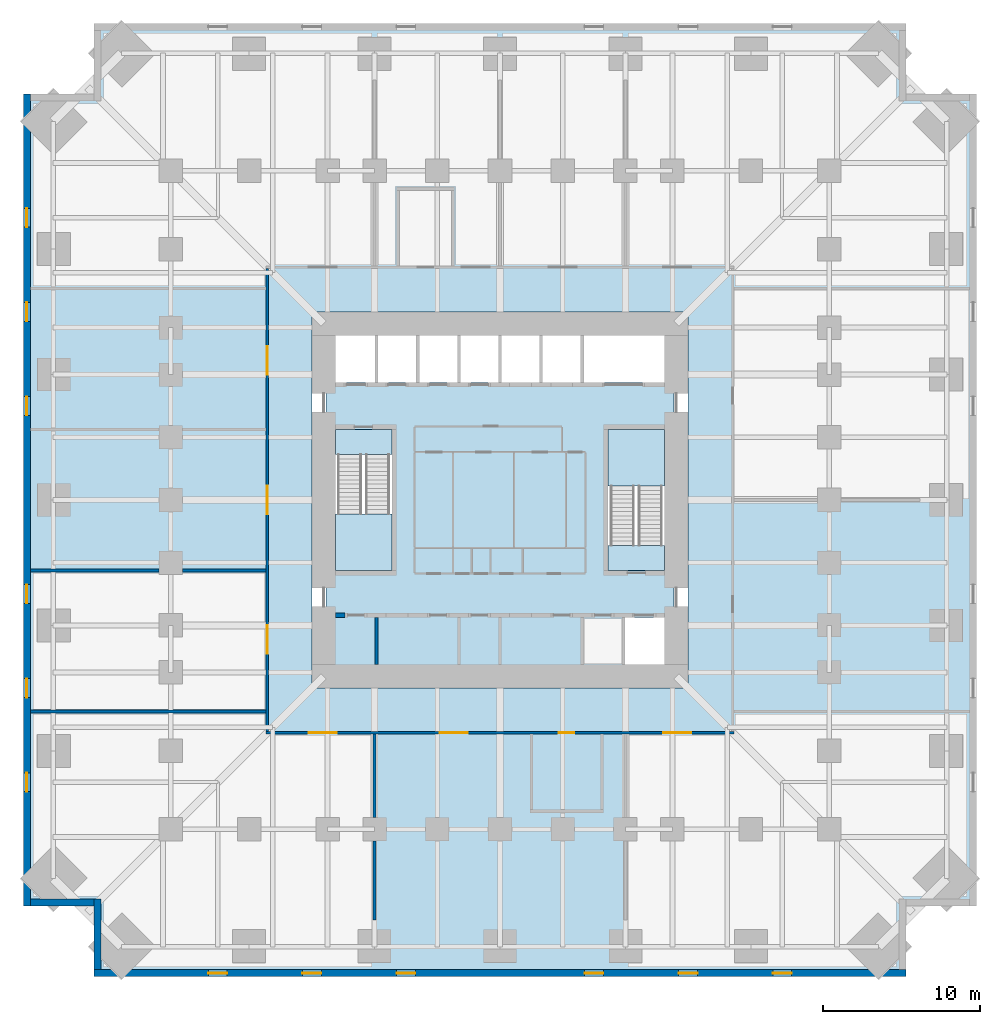
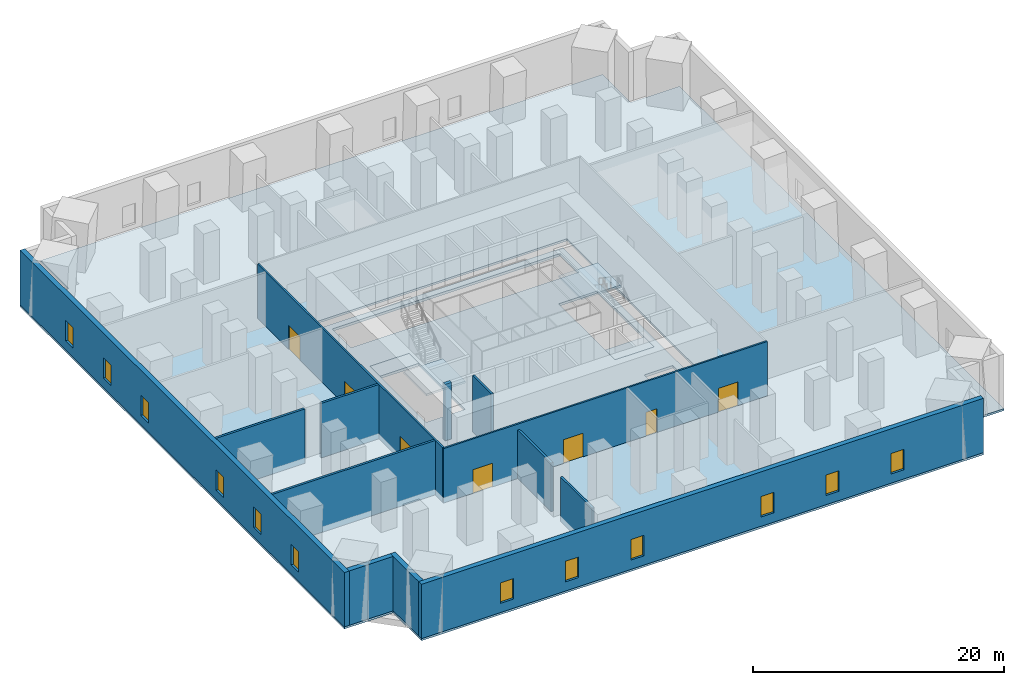
# One storey, part 3 of 8: 13 walls, 12 windows, 7 doors, 6 slabs, 19 openings, 2 elements without a shape of their own.
"""IFC4 building model written with IfcOpenShell, lengths in metres."""

import ifcopenshell
import ifcopenshell.guid

model = None  # the IFC model being written
_history = None  # IfcOwnerHistory: only IFC2X3 demands one
_inside = {}  # id of a spatial element -> (the spatial element, [elements in it])
_under = {}  # id of a project, library or spatial element -> (it, [spatial elements below it])
_declared = {}  # id of a project -> (the project, [libraries it declares])
_typed = {}  # id of a type object -> (the type object, [elements of that type])
_made_of = {}  # id of a material, layer set ... -> (it, [elements and type objects made of it])


def new_model(schema):
    """Start an empty IFC model of exactly this schema.

    Asked for "IFC4X3", IfcOpenShell would pick the latest addendum, in which some entities
    have other attributes; the version numbers below select the first issue.
    IFC2X3 requires an IfcOwnerHistory on every rooted entity: one is made here for all.
    """
    global model, _history
    if schema == "IFC4X3":
        model = ifcopenshell.file(schema_version=(4, 3, 0, 0))
    else:
        model = ifcopenshell.file(schema=schema)
    _inside.clear()
    _under.clear()
    _declared.clear()
    _typed.clear()
    _made_of.clear()
    _history = None
    if model.schema == "IFC2X3":
        org = make("IfcOrganization", Name="unknown")
        user = make(
            "IfcPersonAndOrganization",
            ThePerson=make("IfcPerson", FamilyName="unknown"),
            TheOrganization=org,
        )
        app = make(
            "IfcApplication",
            ApplicationDeveloper=org,
            Version="unknown",
            ApplicationFullName="unknown",
            ApplicationIdentifier="unknown",
        )
        _history = make(
            "IfcOwnerHistory",
            OwningUser=user,
            OwningApplication=app,
            ChangeAction="ADDED",
            CreationDate=0,
        )
    return model


def make(cls, **values):
    """One entity of the class cls with the attributes given. An attribute that is None is left unset."""
    return model.create_entity(
        cls, **{name: value for name, value in values.items() if value is not None}
    )


def rooted(cls, **values):
    """An entity with a GlobalId (a new one), such as an element, a storey or a relation."""
    return make(cls, GlobalId=ifcopenshell.guid.new(), OwnerHistory=_history, **values)


def si_unit(unit_type, name, prefix=None):
    """IfcSIUnit, for example si_unit("LENGTHUNIT", "METRE", prefix="MILLI")."""
    return make("IfcSIUnit", UnitType=unit_type, Prefix=prefix, Name=name)


def assignment(units):
    """IfcUnitAssignment: the units of a project."""
    return None if units is None else make("IfcUnitAssignment", Units=units)


def point(xyz):
    """IfcCartesianPoint."""
    return None if xyz is None else make("IfcCartesianPoint", Coordinates=xyz)


def direction(xyz):
    """IfcDirection."""
    return None if xyz is None else make("IfcDirection", DirectionRatios=xyz)


def frame(location, z_axis=None, x_axis=None):
    """IfcAxis2Placement3D, a coordinate frame: its origin and axes. An axis left out is left unset."""
    return make(
        "IfcAxis2Placement3D",
        Location=point(location),
        Axis=direction(z_axis),
        RefDirection=direction(x_axis),
    )


def frame_2d(location, x_axis=None):
    """IfcAxis2Placement2D, a coordinate frame in the plane: its origin and x axis."""
    return make(
        "IfcAxis2Placement2D", Location=point(location), RefDirection=direction(x_axis)
    )


def origin():
    """The frame at (0, 0, 0) with its axes left unset."""
    return frame((0.0, 0.0, 0.0))


def place(relative_to, where):
    """IfcLocalPlacement: puts the frame where relative to a parent placement (None: the world)."""
    return make(
        "IfcLocalPlacement", PlacementRelTo=relative_to, RelativePlacement=where
    )


def context(
    kind, dimensions, precision=None, world=None, true_north=None, identifier=None
):
    """IfcGeometricRepresentationContext, for example the 3D "Model" context."""
    return make(
        "IfcGeometricRepresentationContext",
        ContextIdentifier=identifier,
        ContextType=kind,
        CoordinateSpaceDimension=dimensions,
        Precision=precision,
        WorldCoordinateSystem=world,
        TrueNorth=true_north,
    )


def subcontext(parent, identifier, kind, view, scale=None):
    """IfcGeometricRepresentationSubContext, for example "Body" below "Model"."""
    return make(
        "IfcGeometricRepresentationSubContext",
        ContextIdentifier=identifier,
        ContextType=kind,
        ParentContext=parent,
        TargetScale=scale,
        TargetView=view,
    )


def project(units=None, contexts=None):
    """IfcProject with its units and contexts."""
    return rooted(
        "IfcProject",
        Name="project",
        RepresentationContexts=contexts,
        UnitsInContext=assignment(units),
    )


def spatial(cls, under=None, at=None, **own):
    """A site, building, storey or space (cls), placed at a placement, below another one or the project."""
    s = rooted(cls, ObjectPlacement=at, **own)
    if under is not None:
        _under.setdefault(under.id(), (under, []))[1].append(s)
    return s


def polyline(points):
    """IfcPolyline through the points."""
    return make("IfcPolyline", Points=[point(p) for p in points])


def profile(cls, at=None, kind="AREA", **sizes):
    """A parametric profile (cls). Its sizes go by their IFC names, for example OverallWidth=200.0."""
    return make(cls, ProfileType=kind, Position=at, **sizes)


def rectangle(**sizes):
    """IfcRectangleProfileDef."""
    return profile("IfcRectangleProfileDef", **sizes)


def outline(outer, holes=None, kind="AREA"):
    """IfcArbitraryClosedProfileDef: a profile drawn as a closed curve; with holes, ...WithVoids."""
    if holes is None:
        return make("IfcArbitraryClosedProfileDef", ProfileType=kind, OuterCurve=outer)
    return make(
        "IfcArbitraryProfileDefWithVoids",
        ProfileType=kind,
        OuterCurve=outer,
        InnerCurves=holes,
    )


def extrude(swept, where, along, depth):
    """IfcExtrudedAreaSolid: the profile swept, set in the frame where, extruded along a direction by depth."""
    return make(
        "IfcExtrudedAreaSolid",
        SweptArea=swept,
        Position=where,
        ExtrudedDirection=direction(along),
        Depth=depth,
    )


def shape(context_of_items, identifier, shape_type, items):
    """IfcShapeRepresentation: the items that make up one representation, for example the "Body"."""
    return make(
        "IfcShapeRepresentation",
        ContextOfItems=context_of_items,
        RepresentationIdentifier=identifier,
        RepresentationType=shape_type,
        Items=items,
    )


def material(Name=None, Category=None):
    """IfcMaterial."""
    return make("IfcMaterial", Name=Name, Category=Category)


def layer(
    of_material, thickness, ventilated=None, Name=None, Category=None, Priority=None
):
    """IfcMaterialLayer: one layer of a wall or slab, of a material (None: an air gap)."""
    return make(
        "IfcMaterialLayer",
        Material=of_material,
        LayerThickness=thickness,
        IsVentilated=ventilated,
        Name=Name,
        Category=Category,
        Priority=Priority,
    )


def layer_set(layers, Name=None):
    """IfcMaterialLayerSet."""
    return make("IfcMaterialLayerSet", MaterialLayers=layers, LayerSetName=Name)


def made_of(thing, what):
    """Note that an element or type object is made of a material, layer set ...; save() writes the relation."""
    if what is not None:
        _made_of.setdefault(what.id(), (what, []))[1].append(thing)
    return thing


def type_object(cls, material=None, **own):
    """A type object (cls), such as IfcWallType, which elements share."""
    return made_of(rooted(cls, **own), material)


def element(
    cls,
    number,
    at=None,
    inside=None,
    cuts=None,
    type_object=None,
    material=None,
    context=None,
    identifier="Body",
    shape_type=None,
    held_by="IfcProductDefinitionShape",
    body=None,
    shapes=None,
    **own,
):
    """One element of the class cls, such as IfcWall. Its Tag is "e" and its number.

    at: its placement. inside: the storey or other place that contains it. cuts: it is an
    opening in that element (IfcRelVoidsElement). A single representation is given by context,
    identifier, shape_type and body (its items); several are given by shapes. held_by: the class
    of the entity that holds the representations. save() writes the other relations.
    """
    e = rooted(cls, Tag="e%d" % number, ObjectPlacement=at, **own)
    if body is not None:
        shapes = [shape(context, identifier, shape_type, body)]
    if shapes is not None:
        e.Representation = make(held_by, Representations=shapes)
    if inside is not None:
        _inside.setdefault(inside.id(), (inside, []))[1].append(e)
    if cuts is not None:
        rooted(
            "IfcRelVoidsElement", RelatingBuildingElement=cuts, RelatedOpeningElement=e
        )
    if type_object is not None:
        _typed.setdefault(type_object.id(), (type_object, []))[1].append(e)
    return made_of(e, material)


def fill(opening, filler):
    """IfcRelFillsElement: the door or window that sits in an opening."""
    return rooted(
        "IfcRelFillsElement",
        RelatingOpeningElement=opening,
        RelatedBuildingElement=filler,
    )


def aggregate(whole, parts):
    """IfcRelAggregates: a whole, such as a stair, and the parts it consists of."""
    return rooted("IfcRelAggregates", RelatingObject=whole, RelatedObjects=parts)


def save(model, path):
    """Write the relations noted so far, then the file.

    IfcRelAggregates (storeys below a building ...), IfcRelContainedInSpatialStructure (elements
    in a storey), IfcRelDefinesByType, IfcRelAssociatesMaterial and IfcRelDeclares: one each for
    every whole, place, type object, material and project.
    """
    for whole, parts in _under.values():
        aggregate(whole, parts)
    for where, things in _inside.values():
        rooted(
            "IfcRelContainedInSpatialStructure",
            RelatedElements=things,
            RelatingStructure=where,
        )
    for kind, things in _typed.values():
        rooted("IfcRelDefinesByType", RelatedObjects=things, RelatingType=kind)
    for what, things in _made_of.values():
        rooted("IfcRelAssociatesMaterial", RelatedObjects=things, RelatingMaterial=what)
    for by, libraries in _declared.values():
        rooted("IfcRelDeclares", RelatingContext=by, RelatedDefinitions=libraries)
    model.write(path)


model = new_model("IFC4")

# Units and contexts
model_context = context("Model", 3, precision=1e-05, world=origin(), true_north=direction((0.0, 1.0)))
body_context = subcontext(model_context, "Body", "Model", "MODEL_VIEW")
ifc_project = project(units=[si_unit("LENGTHUNIT", "METRE"), si_unit("AREAUNIT", "SQUARE_METRE"), si_unit("VOLUMEUNIT", "CUBIC_METRE"), si_unit("PLANEANGLEUNIT", "RADIAN"), si_unit("MASSUNIT", "GRAM", prefix="KILO")], contexts=[model_context])

# Site, building, storey
site_placement = place(None, origin())
site = spatial("IfcSite", under=ifc_project, at=site_placement, CompositionType="ELEMENT")
building_placement = place(site_placement, origin())
building = spatial("IfcBuilding", under=site, at=building_placement, Name="Peilmerk Tower", CompositionType="ELEMENT")
storey_placement = place(building_placement, frame((0.0, 0.0, 59.5)))
storey = spatial("IfcBuildingStorey", under=building, at=storey_placement, Name="L11", CompositionType="ELEMENT", Elevation=59.5)

# Slabs
ifc_material_1 = material(Name="Concrete C55/67", Category="concrete")
ifc_layer_1 = layer(ifc_material_1, 0.25)
ifc_layer_set_1 = layer_set([ifc_layer_1], Name="Concrete C55/67")
slab_type_1 = type_object("IfcSlabType", Name="CS250 250 core floor slab", PredefinedType="FLOOR", material=ifc_layer_set_1)
slab_1_placement = place(storey_placement, frame((0.0, 0.0, -0.25)))
element("IfcSlab", 1, at=slab_1_placement, inside=storey, type_object=slab_type_1, Name="Core slab L11", PredefinedType="FLOOR", context=body_context, shape_type="SweptSolid", body=[
    extrude(outline(polyline([(-11.10009765625, 11.10009765625), (-11.10009765625, -11.10009765625), (11.10009765625, -11.10009765625), (11.10009765625, 11.10009765625), (-11.10009765625, 11.10009765625)]), holes=[polyline([(10.5, 7.5), (-10.5, 7.5), (-10.5, 10.5), (10.5, 10.5), (10.5, 7.5)]), polyline([(7.875, -10.5), (7.875, -7.5), (10.5, -7.5), (10.5, -10.5), (7.875, -10.5)]), polyline([(-10.5, 4.5), (-6.89990234375, 4.5), (-6.89990234375, -4.5), (-10.5, -4.5), (-10.5, 4.5)]), polyline([(10.5, 4.5), (10.5, -4.5), (6.89990234375, -4.5), (6.89990234375, 4.5), (10.5, 4.5)])]), origin(), (0.0, 0.0, 1.0), 0.25),
])
ifc_material_2 = material(Name="Concrete C35/45", Category="concrete")
ifc_layer_2 = layer(ifc_material_2, 0.199951171875)
ifc_layer_set_2 = layer_set([ifc_layer_2], Name="Concrete C35/45")
slab_type_2 = type_object("IfcSlabType", Name="FS200 200 composite floor slab", PredefinedType="FLOOR", material=ifc_layer_set_2)
slab_2_placement = place(storey_placement, frame((0.0, 0.0, -0.199951171875)))
element("IfcSlab", 2, at=slab_2_placement, inside=storey, type_object=slab_type_2, Name="Floor slab L11", PredefinedType="FLOOR", context=body_context, shape_type="SweptSolid", body=[
    extrude(outline(polyline([(-25.89990234375, -30.39990234375), (25.89990234375, -30.39990234375), (25.89990234375, -25.89990234375), (30.39990234375, -25.89990234375), (30.39990234375, 25.89990234375), (25.89990234375, 25.89990234375), (25.89990234375, 30.39990234375), (-25.89990234375, 30.39990234375), (-25.89990234375, 25.89990234375), (-30.39990234375, 25.89990234375), (-30.39990234375, -25.89990234375), (-25.89990234375, -25.89990234375), (-25.89990234375, -30.39990234375)]), holes=[polyline([(12.0, 12.0), (12.0, -12.0), (-12.0, -12.0), (-12.0, 12.0), (12.0, 12.0)])]), origin(), (0.0, 0.0, 1.0), 0.199951171875),
])

# Stair, slab
ifc_material_3 = material(Name="Precast concrete C45/55", Category="concrete")
stair_type_1 = type_object("IfcStairType", Name="ST1 30 risers of 183.3", PredefinedType="HALF_TURN_STAIR", material=ifc_material_3)
stair_1_placement = place(storey_placement, origin())
stair_1 = element("IfcStair", 3, at=stair_1_placement, inside=storey, type_object=stair_type_1, Name="Stair 1 L11 to L12", PredefinedType="HALF_TURN_STAIR")
ifc_layer_3 = layer(ifc_material_2, 0.199951171875)
ifc_layer_set_3 = layer_set([ifc_layer_3], Name="Concrete C35/45")
slab_type_3 = type_object("IfcSlabType", Name="SL1 200 concrete stair landing", PredefinedType="LANDING", material=ifc_layer_set_3)
slab_3_placement = place(storey_placement, frame((0.0, 0.0, 2.550048828125)))
slab_3 = element("IfcSlab", 4, at=slab_3_placement, type_object=slab_type_3, Name="ST1 landing 1", PredefinedType="LANDING", context=body_context, shape_type="SweptSolid", body=[
    extrude(outline(polyline([(-10.5, -4.5), (-6.89990234375, -4.5), (-6.89990234375, -0.8798828125), (-10.5, -0.8798828125), (-10.5, -4.5)])), origin(), (0.0, 0.0, 1.0), 0.199951171875),
])

stair_type_2 = type_object("IfcStairType", Name="ST2 30 risers of 183.3", PredefinedType="HALF_TURN_STAIR", material=ifc_material_3)
stair_2_placement = place(storey_placement, origin())
stair_2 = element("IfcStair", 5, at=stair_2_placement, inside=storey, type_object=stair_type_2, Name="Stair 2 L11 to L12", PredefinedType="HALF_TURN_STAIR")
slab_4_placement = place(storey_placement, frame((0.0, 0.0, 2.550048828125)))
slab_4 = element("IfcSlab", 6, at=slab_4_placement, type_object=slab_type_3, Name="ST2 landing 1", PredefinedType="LANDING", context=body_context, shape_type="SweptSolid", body=[
    extrude(outline(polyline([(6.89990234375, 0.8798828125), (10.5, 0.8798828125), (10.5, 4.5), (6.89990234375, 4.5), (6.89990234375, 0.8798828125)])), origin(), (0.0, 0.0, 1.0), 0.199951171875),
])

# Slab
ifc_layer_4 = layer(ifc_material_2, 0.25)
ifc_layer_set_4 = layer_set([ifc_layer_4], Name="Concrete C35/45")
slab_type_4 = type_object("IfcSlabType", Name="SL2 250 concrete floor landing", PredefinedType="LANDING", material=ifc_layer_set_4)
slab_5_placement = place(storey_placement, frame((0.0, 0.0, -0.25)))
slab_5 = element("IfcSlab", 7, at=slab_5_placement, type_object=slab_type_4, Name="ST1 floor landing", PredefinedType="LANDING", context=body_context, shape_type="SweptSolid", body=[
    extrude(outline(polyline([(-10.5, 2.89990234375), (-6.89990234375, 2.89990234375), (-6.89990234375, 4.5), (-10.5, 4.5), (-10.5, 2.89990234375)])), origin(), (0.0, 0.0, 1.0), 0.25),
])

aggregate(stair_1, [slab_3, slab_5])

slab_6_placement = place(storey_placement, frame((0.0, 0.0, -0.25)))
slab_6 = element("IfcSlab", 8, at=slab_6_placement, type_object=slab_type_4, Name="ST2 floor landing", PredefinedType="LANDING", context=body_context, shape_type="SweptSolid", body=[
    extrude(outline(polyline([(6.89990234375, -4.5), (10.5, -4.5), (10.5, -2.89990234375), (6.89990234375, -2.89990234375), (6.89990234375, -4.5)])), origin(), (0.0, 0.0, 1.0), 0.25),
])

aggregate(stair_2, [slab_4, slab_6])

# Wall, openings, windows
ifc_material_4 = material(Name="Precast concrete C45/55, board-marked finish", Category="concrete")
ifc_layer_5 = layer(ifc_material_4, 0.449951171875)
ifc_layer_set_5 = layer_set([ifc_layer_5], Name="Precast concrete C45/55, board-marked finish")
wall_type_1 = type_object("IfcWallType", Name="EW1 450 precast concrete facade wall, board-marked", PredefinedType="SOLIDWALL", material=ifc_layer_set_5)
wall_1_placement = place(storey_placement, frame((-25.89990234375, -30.175048828125, 0.0), z_axis=(0.0, 0.0, 1.0), x_axis=(1.0, 0.0, 0.0)))
wall_1 = element("IfcWall", 9, at=wall_1_placement, inside=storey, type_object=wall_type_1, Name="Facade wall S L11", PredefinedType="SOLIDWALL", context=body_context, shape_type="SweptSolid", body=[
    extrude(rectangle(XDim=51.7998046875, YDim=0.449951171875, at=frame_2d((25.89990234375, 0.0))), origin(), (0.0, 0.0, 1.0), 5.300048828125),
])
opening_1_placement = place(wall_1_placement, frame((7.300048828125, 0.0, 0.89990234375)))
opening_1 = element("IfcOpeningElement", 10, at=opening_1_placement, cuts=wall_1, Name="Opening W2", PredefinedType="OPENING", context=body_context, shape_type="SweptSolid", body=[
    extrude(rectangle(XDim=1.199951171875, YDim=2.0, at=frame_2d((0.60009765625, 1.0))), frame((0.0, 0.23486328125, 0.0), z_axis=(0.0, -1.0, 0.0), x_axis=(1.0, 0.0, 0.0)), (0.0, 0.0, 1.0), 0.469970703125),
])
opening_2_placement = place(wall_1_placement, frame((13.300048828125, 0.0, 0.89990234375)))
opening_2 = element("IfcOpeningElement", 11, at=opening_2_placement, cuts=wall_1, Name="Opening W2", PredefinedType="OPENING", context=body_context, shape_type="SweptSolid", body=[
    extrude(rectangle(XDim=1.199951171875, YDim=2.0, at=frame_2d((0.60009765625, 1.0))), frame((0.0, 0.23486328125, 0.0), z_axis=(0.0, -1.0, 0.0), x_axis=(1.0, 0.0, 0.0)), (0.0, 0.0, 1.0), 0.469970703125),
])
opening_3_placement = place(wall_1_placement, frame((19.300048828125, 0.0, 0.89990234375)))
opening_3 = element("IfcOpeningElement", 12, at=opening_3_placement, cuts=wall_1, Name="Opening W2", PredefinedType="OPENING", context=body_context, shape_type="SweptSolid", body=[
    extrude(rectangle(XDim=1.199951171875, YDim=2.0, at=frame_2d((0.60009765625, 1.0))), frame((0.0, 0.23486328125, 0.0), z_axis=(0.0, -1.0, 0.0), x_axis=(1.0, 0.0, 0.0)), (0.0, 0.0, 1.0), 0.469970703125),
])
opening_4_placement = place(wall_1_placement, frame((31.300048828125, 0.0, 0.89990234375)))
opening_4 = element("IfcOpeningElement", 13, at=opening_4_placement, cuts=wall_1, Name="Opening W2", PredefinedType="OPENING", context=body_context, shape_type="SweptSolid", body=[
    extrude(rectangle(XDim=1.199951171875, YDim=2.0, at=frame_2d((0.60009765625, 1.0))), frame((0.0, 0.23486328125, 0.0), z_axis=(0.0, -1.0, 0.0), x_axis=(1.0, 0.0, 0.0)), (0.0, 0.0, 1.0), 0.469970703125),
])
opening_5_placement = place(wall_1_placement, frame((37.300048828125, 0.0, 0.89990234375)))
opening_5 = element("IfcOpeningElement", 14, at=opening_5_placement, cuts=wall_1, Name="Opening W2", PredefinedType="OPENING", context=body_context, shape_type="SweptSolid", body=[
    extrude(rectangle(XDim=1.199951171875, YDim=2.0, at=frame_2d((0.60009765625, 1.0))), frame((0.0, 0.23486328125, 0.0), z_axis=(0.0, -1.0, 0.0), x_axis=(1.0, 0.0, 0.0)), (0.0, 0.0, 1.0), 0.469970703125),
])
opening_6_placement = place(wall_1_placement, frame((43.300048828125, 0.0, 0.89990234375)))
opening_6 = element("IfcOpeningElement", 15, at=opening_6_placement, cuts=wall_1, Name="Opening W2", PredefinedType="OPENING", context=body_context, shape_type="SweptSolid", body=[
    extrude(rectangle(XDim=1.199951171875, YDim=2.0, at=frame_2d((0.60009765625, 1.0))), frame((0.0, 0.23486328125, 0.0), z_axis=(0.0, -1.0, 0.0), x_axis=(1.0, 0.0, 0.0)), (0.0, 0.0, 1.0), 0.469970703125),
])
ifc_material_5 = material(Name="Aluminium frame, clear double glazing", Category="aluminium")
window_type = type_object("IfcWindowType", Name="W2 1200x2000 data hall slot window", PartitioningType="SINGLE_PANEL", PredefinedType="WINDOW", material=ifc_material_5)
window_1_placement = place(opening_1_placement, origin())
window_1 = element("IfcWindow", 16, at=window_1_placement, inside=storey, type_object=window_type, Name="Window W2 L11", OverallHeight=2.0, OverallWidth=1.199951171875, PartitioningType="SINGLE_PANEL", PredefinedType="WINDOW", context=body_context, shape_type="SweptSolid", body=[
    extrude(rectangle(XDim=1.199951171875, YDim=2.0, at=frame_2d((0.60009765625, 1.0))), frame((0.0, 0.030029296875, 0.0), z_axis=(0.0, -1.0, 0.0), x_axis=(1.0, 0.0, 0.0)), (0.0, 0.0, 1.0), 0.06005859375),
])
fill(opening_1, window_1)
window_2_placement = place(opening_2_placement, origin())
window_2 = element("IfcWindow", 17, at=window_2_placement, inside=storey, type_object=window_type, Name="Window W2 L11", OverallHeight=2.0, OverallWidth=1.199951171875, PartitioningType="SINGLE_PANEL", PredefinedType="WINDOW", context=body_context, shape_type="SweptSolid", body=[
    extrude(rectangle(XDim=1.199951171875, YDim=2.0, at=frame_2d((0.60009765625, 1.0))), frame((0.0, 0.030029296875, 0.0), z_axis=(0.0, -1.0, 0.0), x_axis=(1.0, 0.0, 0.0)), (0.0, 0.0, 1.0), 0.06005859375),
])
fill(opening_2, window_2)
window_3_placement = place(opening_3_placement, origin())
window_3 = element("IfcWindow", 18, at=window_3_placement, inside=storey, type_object=window_type, Name="Window W2 L11", OverallHeight=2.0, OverallWidth=1.199951171875, PartitioningType="SINGLE_PANEL", PredefinedType="WINDOW", context=body_context, shape_type="SweptSolid", body=[
    extrude(rectangle(XDim=1.199951171875, YDim=2.0, at=frame_2d((0.60009765625, 1.0))), frame((0.0, 0.030029296875, 0.0), z_axis=(0.0, -1.0, 0.0), x_axis=(1.0, 0.0, 0.0)), (0.0, 0.0, 1.0), 0.06005859375),
])
fill(opening_3, window_3)
window_4_placement = place(opening_4_placement, origin())
window_4 = element("IfcWindow", 19, at=window_4_placement, inside=storey, type_object=window_type, Name="Window W2 L11", OverallHeight=2.0, OverallWidth=1.199951171875, PartitioningType="SINGLE_PANEL", PredefinedType="WINDOW", context=body_context, shape_type="SweptSolid", body=[
    extrude(rectangle(XDim=1.199951171875, YDim=2.0, at=frame_2d((0.60009765625, 1.0))), frame((0.0, 0.030029296875, 0.0), z_axis=(0.0, -1.0, 0.0), x_axis=(1.0, 0.0, 0.0)), (0.0, 0.0, 1.0), 0.06005859375),
])
fill(opening_4, window_4)
window_5_placement = place(opening_5_placement, origin())
window_5 = element("IfcWindow", 20, at=window_5_placement, inside=storey, type_object=window_type, Name="Window W2 L11", OverallHeight=2.0, OverallWidth=1.199951171875, PartitioningType="SINGLE_PANEL", PredefinedType="WINDOW", context=body_context, shape_type="SweptSolid", body=[
    extrude(rectangle(XDim=1.199951171875, YDim=2.0, at=frame_2d((0.60009765625, 1.0))), frame((0.0, 0.030029296875, 0.0), z_axis=(0.0, -1.0, 0.0), x_axis=(1.0, 0.0, 0.0)), (0.0, 0.0, 1.0), 0.06005859375),
])
fill(opening_5, window_5)
window_6_placement = place(opening_6_placement, origin())
window_6 = element("IfcWindow", 21, at=window_6_placement, inside=storey, type_object=window_type, Name="Window W2 L11", OverallHeight=2.0, OverallWidth=1.199951171875, PartitioningType="SINGLE_PANEL", PredefinedType="WINDOW", context=body_context, shape_type="SweptSolid", body=[
    extrude(rectangle(XDim=1.199951171875, YDim=2.0, at=frame_2d((0.60009765625, 1.0))), frame((0.0, 0.030029296875, 0.0), z_axis=(0.0, -1.0, 0.0), x_axis=(1.0, 0.0, 0.0)), (0.0, 0.0, 1.0), 0.06005859375),
])
fill(opening_6, window_6)

wall_2_placement = place(storey_placement, frame((-30.175048828125, 25.89990234375, 0.0), z_axis=(0.0, 0.0, 1.0), x_axis=(0.0, -1.0, 0.0)))
wall_2 = element("IfcWall", 22, at=wall_2_placement, inside=storey, type_object=wall_type_1, Name="Facade wall W L11", PredefinedType="SOLIDWALL", context=body_context, shape_type="SweptSolid", body=[
    extrude(rectangle(XDim=51.7998046875, YDim=0.449951171875, at=frame_2d((25.89990234375, 0.0))), origin(), (0.0, 0.0, 1.0), 5.300048828125),
])
opening_7_placement = place(wall_2_placement, frame((7.300048828125, 0.0, 0.89990234375)))
opening_7 = element("IfcOpeningElement", 23, at=opening_7_placement, cuts=wall_2, Name="Opening W2", PredefinedType="OPENING", context=body_context, shape_type="SweptSolid", body=[
    extrude(rectangle(XDim=1.199951171875, YDim=2.0, at=frame_2d((0.60009765625, 1.0))), frame((0.0, 0.23486328125, 0.0), z_axis=(0.0, -1.0, 0.0), x_axis=(1.0, 0.0, 0.0)), (0.0, 0.0, 1.0), 0.469970703125),
])
opening_8_placement = place(wall_2_placement, frame((13.300048828125, 0.0, 0.89990234375)))
opening_8 = element("IfcOpeningElement", 24, at=opening_8_placement, cuts=wall_2, Name="Opening W2", PredefinedType="OPENING", context=body_context, shape_type="SweptSolid", body=[
    extrude(rectangle(XDim=1.199951171875, YDim=2.0, at=frame_2d((0.60009765625, 1.0))), frame((0.0, 0.23486328125, 0.0), z_axis=(0.0, -1.0, 0.0), x_axis=(1.0, 0.0, 0.0)), (0.0, 0.0, 1.0), 0.469970703125),
])
opening_9_placement = place(wall_2_placement, frame((19.300048828125, 0.0, 0.89990234375)))
opening_9 = element("IfcOpeningElement", 25, at=opening_9_placement, cuts=wall_2, Name="Opening W2", PredefinedType="OPENING", context=body_context, shape_type="SweptSolid", body=[
    extrude(rectangle(XDim=1.199951171875, YDim=2.0, at=frame_2d((0.60009765625, 1.0))), frame((0.0, 0.23486328125, 0.0), z_axis=(0.0, -1.0, 0.0), x_axis=(1.0, 0.0, 0.0)), (0.0, 0.0, 1.0), 0.469970703125),
])
opening_10_placement = place(wall_2_placement, frame((31.300048828125, 0.0, 0.89990234375)))
opening_10 = element("IfcOpeningElement", 26, at=opening_10_placement, cuts=wall_2, Name="Opening W2", PredefinedType="OPENING", context=body_context, shape_type="SweptSolid", body=[
    extrude(rectangle(XDim=1.199951171875, YDim=2.0, at=frame_2d((0.60009765625, 1.0))), frame((0.0, 0.23486328125, 0.0), z_axis=(0.0, -1.0, 0.0), x_axis=(1.0, 0.0, 0.0)), (0.0, 0.0, 1.0), 0.469970703125),
])
opening_11_placement = place(wall_2_placement, frame((37.300048828125, 0.0, 0.89990234375)))
opening_11 = element("IfcOpeningElement", 27, at=opening_11_placement, cuts=wall_2, Name="Opening W2", PredefinedType="OPENING", context=body_context, shape_type="SweptSolid", body=[
    extrude(rectangle(XDim=1.199951171875, YDim=2.0, at=frame_2d((0.60009765625, 1.0))), frame((0.0, 0.23486328125, 0.0), z_axis=(0.0, -1.0, 0.0), x_axis=(1.0, 0.0, 0.0)), (0.0, 0.0, 1.0), 0.469970703125),
])
opening_12_placement = place(wall_2_placement, frame((43.300048828125, 0.0, 0.89990234375)))
opening_12 = element("IfcOpeningElement", 28, at=opening_12_placement, cuts=wall_2, Name="Opening W2", PredefinedType="OPENING", context=body_context, shape_type="SweptSolid", body=[
    extrude(rectangle(XDim=1.199951171875, YDim=2.0, at=frame_2d((0.60009765625, 1.0))), frame((0.0, 0.23486328125, 0.0), z_axis=(0.0, -1.0, 0.0), x_axis=(1.0, 0.0, 0.0)), (0.0, 0.0, 1.0), 0.469970703125),
])
window_7_placement = place(opening_7_placement, origin())
window_7 = element("IfcWindow", 29, at=window_7_placement, inside=storey, type_object=window_type, Name="Window W2 L11", OverallHeight=2.0, OverallWidth=1.199951171875, PartitioningType="SINGLE_PANEL", PredefinedType="WINDOW", context=body_context, shape_type="SweptSolid", body=[
    extrude(rectangle(XDim=1.199951171875, YDim=2.0, at=frame_2d((0.60009765625, 1.0))), frame((0.0, 0.030029296875, 0.0), z_axis=(0.0, -1.0, 0.0), x_axis=(1.0, 0.0, 0.0)), (0.0, 0.0, 1.0), 0.06005859375),
])
fill(opening_7, window_7)
window_8_placement = place(opening_8_placement, origin())
window_8 = element("IfcWindow", 30, at=window_8_placement, inside=storey, type_object=window_type, Name="Window W2 L11", OverallHeight=2.0, OverallWidth=1.199951171875, PartitioningType="SINGLE_PANEL", PredefinedType="WINDOW", context=body_context, shape_type="SweptSolid", body=[
    extrude(rectangle(XDim=1.199951171875, YDim=2.0, at=frame_2d((0.60009765625, 1.0))), frame((0.0, 0.030029296875, 0.0), z_axis=(0.0, -1.0, 0.0), x_axis=(1.0, 0.0, 0.0)), (0.0, 0.0, 1.0), 0.06005859375),
])
fill(opening_8, window_8)
window_9_placement = place(opening_9_placement, origin())
window_9 = element("IfcWindow", 31, at=window_9_placement, inside=storey, type_object=window_type, Name="Window W2 L11", OverallHeight=2.0, OverallWidth=1.199951171875, PartitioningType="SINGLE_PANEL", PredefinedType="WINDOW", context=body_context, shape_type="SweptSolid", body=[
    extrude(rectangle(XDim=1.199951171875, YDim=2.0, at=frame_2d((0.60009765625, 1.0))), frame((0.0, 0.030029296875, 0.0), z_axis=(0.0, -1.0, 0.0), x_axis=(1.0, 0.0, 0.0)), (0.0, 0.0, 1.0), 0.06005859375),
])
fill(opening_9, window_9)
window_10_placement = place(opening_10_placement, origin())
window_10 = element("IfcWindow", 32, at=window_10_placement, inside=storey, type_object=window_type, Name="Window W2 L11", OverallHeight=2.0, OverallWidth=1.199951171875, PartitioningType="SINGLE_PANEL", PredefinedType="WINDOW", context=body_context, shape_type="SweptSolid", body=[
    extrude(rectangle(XDim=1.199951171875, YDim=2.0, at=frame_2d((0.60009765625, 1.0))), frame((0.0, 0.030029296875, 0.0), z_axis=(0.0, -1.0, 0.0), x_axis=(1.0, 0.0, 0.0)), (0.0, 0.0, 1.0), 0.06005859375),
])
fill(opening_10, window_10)
window_11_placement = place(opening_11_placement, origin())
window_11 = element("IfcWindow", 33, at=window_11_placement, inside=storey, type_object=window_type, Name="Window W2 L11", OverallHeight=2.0, OverallWidth=1.199951171875, PartitioningType="SINGLE_PANEL", PredefinedType="WINDOW", context=body_context, shape_type="SweptSolid", body=[
    extrude(rectangle(XDim=1.199951171875, YDim=2.0, at=frame_2d((0.60009765625, 1.0))), frame((0.0, 0.030029296875, 0.0), z_axis=(0.0, -1.0, 0.0), x_axis=(1.0, 0.0, 0.0)), (0.0, 0.0, 1.0), 0.06005859375),
])
fill(opening_11, window_11)
window_12_placement = place(opening_12_placement, origin())
window_12 = element("IfcWindow", 34, at=window_12_placement, inside=storey, type_object=window_type, Name="Window W2 L11", OverallHeight=2.0, OverallWidth=1.199951171875, PartitioningType="SINGLE_PANEL", PredefinedType="WINDOW", context=body_context, shape_type="SweptSolid", body=[
    extrude(rectangle(XDim=1.199951171875, YDim=2.0, at=frame_2d((0.60009765625, 1.0))), frame((0.0, 0.030029296875, 0.0), z_axis=(0.0, -1.0, 0.0), x_axis=(1.0, 0.0, 0.0)), (0.0, 0.0, 1.0), 0.06005859375),
])
fill(opening_12, window_12)

# Walls
wall_3_placement = place(storey_placement, frame((-25.675048828125, -25.449951171875, 0.0), z_axis=(0.0, 0.0, 1.0), x_axis=(0.0, -1.0, 0.0)))
element("IfcWall", 35, at=wall_3_placement, inside=storey, type_object=wall_type_1, Name="Facade wall SWA L11", PredefinedType="SOLIDWALL", context=body_context, shape_type="SweptSolid", body=[
    extrude(rectangle(XDim=4.5, YDim=0.449951171875, at=frame_2d((2.25, 0.0))), origin(), (0.0, 0.0, 1.0), 5.300048828125),
])
wall_4_placement = place(storey_placement, frame((-25.89990234375, -25.675048828125, 0.0), z_axis=(0.0, 0.0, 1.0), x_axis=(-1.0, 0.0, 0.0)))
element("IfcWall", 36, at=wall_4_placement, inside=storey, type_object=wall_type_1, Name="Facade wall SWB L11", PredefinedType="SOLIDWALL", context=body_context, shape_type="SweptSolid", body=[
    extrude(rectangle(XDim=4.050048828125, YDim=0.449951171875, at=frame_2d((2.02490234375, 0.0))), origin(), (0.0, 0.0, 1.0), 5.300048828125),
])

# Wall, openings, doors
ifc_material_6 = material(Name="Calcium silicate block", Category="masonry")
ifc_layer_6 = layer(ifc_material_6, 0.14990234375)
ifc_layer_set_6 = layer_set([ifc_layer_6], Name="Calcium silicate block")
wall_type_2 = type_object("IfcWallType", Name="IW1 150 corridor partition, EI 60", PredefinedType="PARTITIONING", material=ifc_layer_set_6)
wall_5_placement = place(storey_placement, frame((14.925048828125, -14.85009765625, 0.0), z_axis=(0.0, 0.0, 1.0), x_axis=(-1.0, 0.0, 0.0)))
wall_5 = element("IfcWall", 37, at=wall_5_placement, inside=storey, type_object=wall_type_2, Name="Corridor wall S L11", PredefinedType="PARTITIONING", context=body_context, shape_type="SweptSolid", body=[
    extrude(rectangle(XDim=29.85009765625, YDim=0.14990234375, at=frame_2d((14.925048828125, 0.0))), origin(), (0.0, 0.0, 1.0), 5.300048828125),
])
opening_13_placement = place(wall_5_placement, frame((25.324951171875, 0.0, 0.0)))
opening_13 = element("IfcOpeningElement", 38, at=opening_13_placement, cuts=wall_5, Name="Opening D2", PredefinedType="OPENING", context=body_context, shape_type="SweptSolid", body=[
    extrude(rectangle(XDim=1.800048828125, YDim=2.300048828125, at=frame_2d((0.89990234375, 1.14990234375))), frame((0.0, 0.0849609375, 0.0), z_axis=(0.0, -1.0, 0.0), x_axis=(1.0, 0.0, 0.0)), (0.0, 0.0, 1.0), 0.169921875),
])
opening_14_placement = place(wall_5_placement, frame((16.97509765625, 0.0, 0.0)))
opening_14 = element("IfcOpeningElement", 39, at=opening_14_placement, cuts=wall_5, Name="Opening D2", PredefinedType="OPENING", context=body_context, shape_type="SweptSolid", body=[
    extrude(rectangle(XDim=1.800048828125, YDim=2.300048828125, at=frame_2d((0.89990234375, 1.14990234375))), frame((0.0, 0.0849609375, 0.0), z_axis=(0.0, -1.0, 0.0), x_axis=(1.0, 0.0, 0.0)), (0.0, 0.0, 1.0), 0.169921875),
])
opening_15_placement = place(wall_5_placement, frame((2.72509765625, 0.0, 0.0)))
opening_15 = element("IfcOpeningElement", 40, at=opening_15_placement, cuts=wall_5, Name="Opening D2", PredefinedType="OPENING", context=body_context, shape_type="SweptSolid", body=[
    extrude(rectangle(XDim=1.800048828125, YDim=2.300048828125, at=frame_2d((0.89990234375, 1.14990234375))), frame((0.0, 0.0849609375, 0.0), z_axis=(0.0, -1.0, 0.0), x_axis=(1.0, 0.0, 0.0)), (0.0, 0.0, 1.0), 0.169921875),
])
opening_16_placement = place(wall_5_placement, frame((10.175048828125, 0.0, 0.0)))
opening_16 = element("IfcOpeningElement", 41, at=opening_16_placement, cuts=wall_5, Name="Opening D1", PredefinedType="OPENING", context=body_context, shape_type="SweptSolid", body=[
    extrude(rectangle(XDim=1.0, YDim=2.300048828125, at=frame_2d((0.5, 1.14990234375))), frame((0.0, 0.0849609375, 0.0), z_axis=(0.0, -1.0, 0.0), x_axis=(1.0, 0.0, 0.0)), (0.0, 0.0, 1.0), 0.169921875),
])
ifc_material_7 = material(Name="Timber door in steel frame", Category="steel")
door_type_1 = type_object("IfcDoorType", Name="D1 1000x2300 room door, EI2 30", OperationType="SINGLE_SWING_LEFT", PredefinedType="DOOR", material=ifc_material_7)
door_1_placement = place(opening_16_placement, origin())
door_1 = element("IfcDoor", 42, at=door_1_placement, inside=storey, type_object=door_type_1, Name="Door Security control room L11", OperationType="SINGLE_SWING_LEFT", OverallHeight=2.300048828125, OverallWidth=1.0, PredefinedType="DOOR", context=body_context, shape_type="SweptSolid", body=[
    extrude(rectangle(XDim=1.0, YDim=2.300048828125, at=frame_2d((0.5, 1.14990234375))), frame((0.0, 0.02490234375, 0.0), z_axis=(0.0, -1.0, 0.0), x_axis=(1.0, 0.0, 0.0)), (0.0, 0.0, 1.0), 0.050048828125),
])
fill(opening_16, door_1)
ifc_material_8 = material(Name="Steel door in steel frame", Category="steel")
door_type_2 = type_object("IfcDoorType", Name="D2 1800x2300 double door, EI2 60", OperationType="DOUBLE_DOOR_DOUBLE_SWING", PredefinedType="DOOR", material=ifc_material_8)
door_2_placement = place(opening_13_placement, origin())
door_2 = element("IfcDoor", 43, at=door_2_placement, inside=storey, type_object=door_type_2, Name="Door Data suite E L11", OperationType="DOUBLE_DOOR_DOUBLE_SWING", OverallHeight=2.300048828125, OverallWidth=1.800048828125, PredefinedType="DOOR", context=body_context, shape_type="SweptSolid", body=[
    extrude(rectangle(XDim=1.800048828125, YDim=2.300048828125, at=frame_2d((0.89990234375, 1.14990234375))), frame((0.0, 0.02490234375, 0.0), z_axis=(0.0, -1.0, 0.0), x_axis=(1.0, 0.0, 0.0)), (0.0, 0.0, 1.0), 0.050048828125),
])
fill(opening_13, door_2)
door_3_placement = place(opening_14_placement, origin())
door_3 = element("IfcDoor", 44, at=door_3_placement, inside=storey, type_object=door_type_2, Name="Door Build room L11", OperationType="DOUBLE_DOOR_DOUBLE_SWING", OverallHeight=2.300048828125, OverallWidth=1.800048828125, PredefinedType="DOOR", context=body_context, shape_type="SweptSolid", body=[
    extrude(rectangle(XDim=1.800048828125, YDim=2.300048828125, at=frame_2d((0.89990234375, 1.14990234375))), frame((0.0, 0.02490234375, 0.0), z_axis=(0.0, -1.0, 0.0), x_axis=(1.0, 0.0, 0.0)), (0.0, 0.0, 1.0), 0.050048828125),
])
fill(opening_14, door_3)
door_4_placement = place(opening_15_placement, origin())
door_4 = element("IfcDoor", 45, at=door_4_placement, inside=storey, type_object=door_type_2, Name="Door Data suite F L11", OperationType="DOUBLE_DOOR_DOUBLE_SWING", OverallHeight=2.300048828125, OverallWidth=1.800048828125, PredefinedType="DOOR", context=body_context, shape_type="SweptSolid", body=[
    extrude(rectangle(XDim=1.800048828125, YDim=2.300048828125, at=frame_2d((0.89990234375, 1.14990234375))), frame((0.0, 0.02490234375, 0.0), z_axis=(0.0, -1.0, 0.0), x_axis=(1.0, 0.0, 0.0)), (0.0, 0.0, 1.0), 0.050048828125),
])
fill(opening_15, door_4)

wall_6_placement = place(storey_placement, frame((-14.85009765625, 14.77490234375, 0.0), z_axis=(0.0, 0.0, 1.0), x_axis=(0.0, -1.0, 0.0)))
wall_6 = element("IfcWall", 46, at=wall_6_placement, inside=storey, type_object=wall_type_2, Name="Corridor wall W L11", PredefinedType="PARTITIONING", context=body_context, shape_type="SweptSolid", body=[
    extrude(rectangle(XDim=29.5498046875, YDim=0.14990234375, at=frame_2d((14.77490234375, 0.0))), origin(), (0.0, 0.0, 1.0), 5.300048828125),
])
opening_17_placement = place(wall_6_placement, frame((22.77490234375, 0.0, 0.0)))
opening_17 = element("IfcOpeningElement", 47, at=opening_17_placement, cuts=wall_6, Name="Opening D2", PredefinedType="OPENING", context=body_context, shape_type="SweptSolid", body=[
    extrude(rectangle(XDim=1.800048828125, YDim=2.300048828125, at=frame_2d((0.89990234375, 1.14990234375))), frame((0.0, 0.0849609375, 0.0), z_axis=(0.0, -1.0, 0.0), x_axis=(1.0, 0.0, 0.0)), (0.0, 0.0, 1.0), 0.169921875),
])
opening_18_placement = place(wall_6_placement, frame((13.875, 0.0, 0.0)))
opening_18 = element("IfcOpeningElement", 48, at=opening_18_placement, cuts=wall_6, Name="Opening D2", PredefinedType="OPENING", context=body_context, shape_type="SweptSolid", body=[
    extrude(rectangle(XDim=1.800048828125, YDim=2.300048828125, at=frame_2d((0.89990234375, 1.14990234375))), frame((0.0, 0.0849609375, 0.0), z_axis=(0.0, -1.0, 0.0), x_axis=(1.0, 0.0, 0.0)), (0.0, 0.0, 1.0), 0.169921875),
])
opening_19_placement = place(wall_6_placement, frame((4.97509765625, 0.0, 0.0)))
opening_19 = element("IfcOpeningElement", 49, at=opening_19_placement, cuts=wall_6, Name="Opening D2", PredefinedType="OPENING", context=body_context, shape_type="SweptSolid", body=[
    extrude(rectangle(XDim=1.800048828125, YDim=2.300048828125, at=frame_2d((0.89990234375, 1.14990234375))), frame((0.0, 0.0849609375, 0.0), z_axis=(0.0, -1.0, 0.0), x_axis=(1.0, 0.0, 0.0)), (0.0, 0.0, 1.0), 0.169921875),
])
door_5_placement = place(opening_17_placement, frame((1.800048828125, 0.0, 0.0), z_axis=(0.0, 0.0, 1.0), x_axis=(-1.0, 0.0, 0.0)))
door_5 = element("IfcDoor", 50, at=door_5_placement, inside=storey, type_object=door_type_2, Name="Door UPS room L11", OperationType="DOUBLE_DOOR_DOUBLE_SWING", OverallHeight=2.300048828125, OverallWidth=1.800048828125, PredefinedType="DOOR", context=body_context, shape_type="SweptSolid", body=[
    extrude(rectangle(XDim=1.800048828125, YDim=2.300048828125, at=frame_2d((0.89990234375, 1.14990234375))), frame((0.0, 0.02490234375, 0.0), z_axis=(0.0, -1.0, 0.0), x_axis=(1.0, 0.0, 0.0)), (0.0, 0.0, 1.0), 0.050048828125),
])
fill(opening_17, door_5)
door_6_placement = place(opening_18_placement, frame((1.800048828125, 0.0, 0.0), z_axis=(0.0, 0.0, 1.0), x_axis=(-1.0, 0.0, 0.0)))
door_6 = element("IfcDoor", 51, at=door_6_placement, inside=storey, type_object=door_type_2, Name="Door Battery room L11", OperationType="DOUBLE_DOOR_DOUBLE_SWING", OverallHeight=2.300048828125, OverallWidth=1.800048828125, PredefinedType="DOOR", context=body_context, shape_type="SweptSolid", body=[
    extrude(rectangle(XDim=1.800048828125, YDim=2.300048828125, at=frame_2d((0.89990234375, 1.14990234375))), frame((0.0, 0.02490234375, 0.0), z_axis=(0.0, -1.0, 0.0), x_axis=(1.0, 0.0, 0.0)), (0.0, 0.0, 1.0), 0.050048828125),
])
fill(opening_18, door_6)
door_7_placement = place(opening_19_placement, frame((1.800048828125, 0.0, 0.0), z_axis=(0.0, 0.0, 1.0), x_axis=(-1.0, 0.0, 0.0)))
door_7 = element("IfcDoor", 52, at=door_7_placement, inside=storey, type_object=door_type_2, Name="Door Transformer room L11", OperationType="DOUBLE_DOOR_DOUBLE_SWING", OverallHeight=2.300048828125, OverallWidth=1.800048828125, PredefinedType="DOOR", context=body_context, shape_type="SweptSolid", body=[
    extrude(rectangle(XDim=1.800048828125, YDim=2.300048828125, at=frame_2d((0.89990234375, 1.14990234375))), frame((0.0, 0.02490234375, 0.0), z_axis=(0.0, -1.0, 0.0), x_axis=(1.0, 0.0, 0.0)), (0.0, 0.0, 1.0), 0.050048828125),
])
fill(opening_19, door_7)

# Walls
ifc_layer_7 = layer(ifc_material_6, 0.199951171875)
ifc_layer_set_7 = layer_set([ifc_layer_7], Name="Calcium silicate block")
wall_type_3 = type_object("IfcWallType", Name="IW2 200 room separating wall, EI 120", PredefinedType="PARTITIONING", material=ifc_layer_set_7)
wall_7_placement = place(storey_placement, frame((-14.925048828125, -13.5, 0.0), z_axis=(0.0, 0.0, 1.0), x_axis=(-1.0, 0.0, 0.0)))
element("IfcWall", 53, at=wall_7_placement, inside=storey, type_object=wall_type_3, Name="Room separating wall SW L11", PredefinedType="PARTITIONING", context=body_context, shape_type="SweptSolid", body=[
    extrude(rectangle(XDim=15.02490234375, YDim=0.199951171875, at=frame_2d((7.512451171875, 0.0))), origin(), (0.0, 0.0, 1.0), 5.300048828125),
])
wall_8_placement = place(storey_placement, frame((-8.0, -14.925048828125, 0.0), z_axis=(0.0, 0.0, 1.0), x_axis=(0.0, -1.0, 0.0)))
element("IfcWall", 54, at=wall_8_placement, inside=storey, type_object=wall_type_3, Name="Room separating wall S1 L11", PredefinedType="PARTITIONING", context=body_context, shape_type="SweptSolid", body=[
    extrude(rectangle(XDim=5.324951171875, YDim=0.199951171875, at=frame_2d((2.66259765625, 0.0))), origin(), (0.0, 0.0, 1.0), 4.73095703125),
])
wall_9_placement = place(storey_placement, frame((-8.0, -21.75, 0.0), z_axis=(0.0, 0.0, 1.0), x_axis=(0.0, -1.0, 0.0)))
element("IfcWall", 55, at=wall_9_placement, inside=storey, type_object=wall_type_3, Name="Room separating wall S1b L11", PredefinedType="PARTITIONING", context=body_context, shape_type="SweptSolid", body=[
    extrude(rectangle(XDim=5.040771484375, YDim=0.199951171875, at=frame_2d((2.5205078125, 0.0))), origin(), (0.0, 0.0, 1.0), 4.300048828125),
])
wall_10_placement = place(storey_placement, frame((-14.925048828125, -4.5, 0.0), z_axis=(0.0, 0.0, 1.0), x_axis=(-1.0, 0.0, 0.0)))
element("IfcWall", 56, at=wall_10_placement, inside=storey, type_object=wall_type_3, Name="Room separating wall W1 L11", PredefinedType="PARTITIONING", context=body_context, shape_type="SweptSolid", body=[
    extrude(rectangle(XDim=5.324951171875, YDim=0.199951171875, at=frame_2d((2.66259765625, 0.0))), origin(), (0.0, 0.0, 1.0), 5.300048828125),
])
wall_11_placement = place(storey_placement, frame((-21.75, -4.5, 0.0), z_axis=(0.0, 0.0, 1.0), x_axis=(-1.0, 0.0, 0.0)))
element("IfcWall", 57, at=wall_11_placement, inside=storey, type_object=wall_type_3, Name="Room separating wall W1b L11", PredefinedType="PARTITIONING", context=body_context, shape_type="SweptSolid", body=[
    extrude(rectangle(XDim=8.199951171875, YDim=0.199951171875, at=frame_2d((4.10009765625, 0.0))), origin(), (0.0, 0.0, 1.0), 5.300048828125),
])
ifc_layer_8 = layer(ifc_material_6, 0.199951171875)
ifc_layer_set_8 = layer_set([ifc_layer_8], Name="Calcium silicate block")
wall_type_4 = type_object("IfcWallType", Name="SH1 200 shaft dividing wall, EI 120", PredefinedType="PARTITIONING", material=ifc_layer_set_8)
wall_12_placement = place(storey_placement, frame((-7.875, -10.5, 0.0), z_axis=(0.0, 0.0, 1.0), x_axis=(0.0, 1.0, 0.0)))
element("IfcWall", 58, at=wall_12_placement, inside=storey, type_object=wall_type_4, Name="Shaft wall S C4 L11", PredefinedType="PARTITIONING", context=body_context, shape_type="SweptSolid", body=[
    extrude(rectangle(XDim=3.0, YDim=0.199951171875, at=frame_2d((1.5, 0.0))), origin(), (0.0, 0.0, 1.0), 5.5),
])
ifc_layer_9 = layer(ifc_material_1, 0.300048828125)
ifc_layer_set_9 = layer_set([ifc_layer_9], Name="Concrete C55/67")
wall_type_5 = type_object("IfcWallType", Name="SW2 300 lift bank pier", PredefinedType="SHEAR", material=ifc_layer_set_9)
wall_13_placement = place(storey_placement, frame((-10.5, -7.35009765625, 0.0), z_axis=(0.0, 0.0, 1.0), x_axis=(1.0, 0.0, 0.0)))
element("IfcWall", 59, at=wall_13_placement, inside=storey, type_object=wall_type_5, Name="Lift bank pier S L11", PredefinedType="SHEAR", context=body_context, shape_type="SweptSolid", body=[
    extrude(rectangle(XDim=0.612548828125, YDim=0.300048828125, at=frame_2d((0.30615234375, 0.0))), origin(), (0.0, 0.0, 1.0), 5.5),
])

save(model, "model.ifc")
